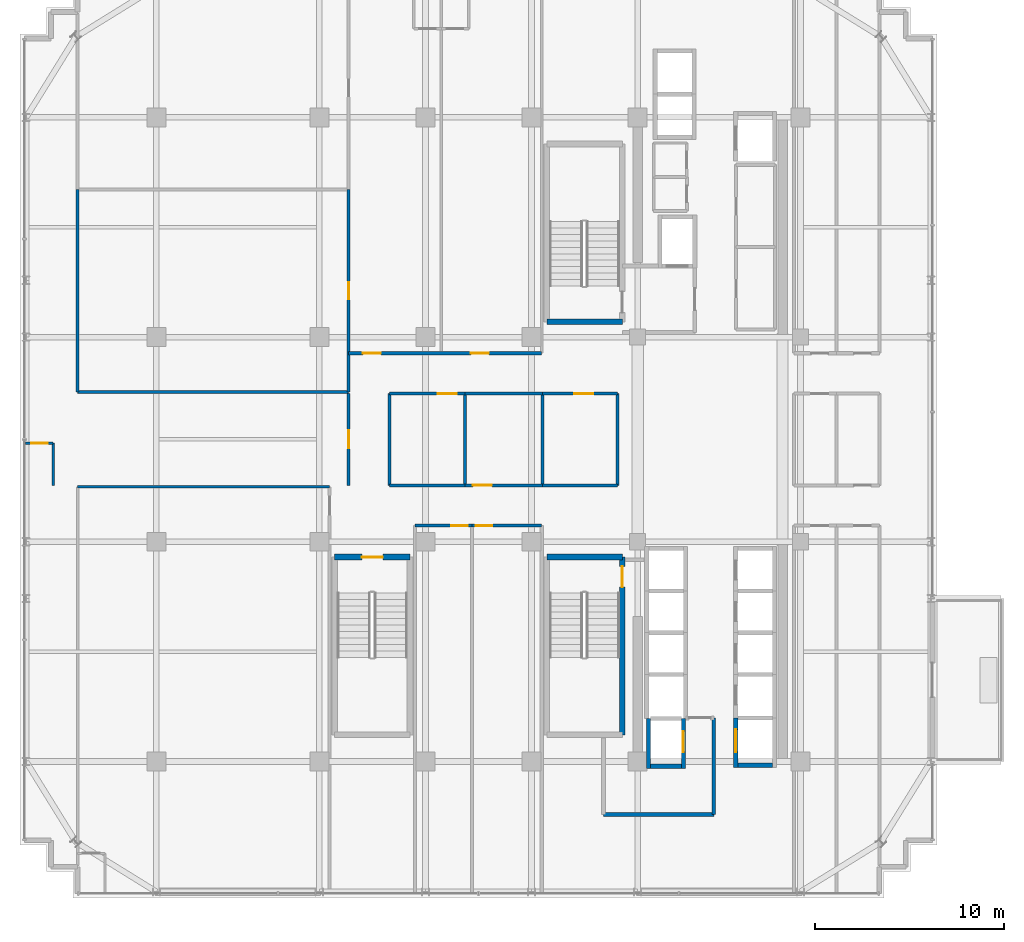
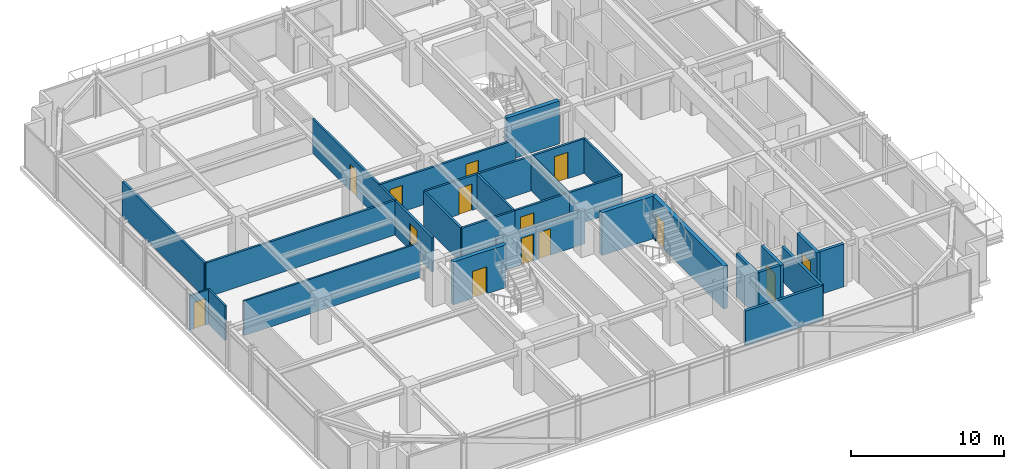
# One storey, part 30 of 36: 31 walls, 14 doors, 14 openings.
"""IFC4 building model written with IfcOpenShell, lengths in metres."""

from ifc_helpers import new_model, si_unit, direction, frame, frame_2d, origin, place, context, subcontext, project, spatial, rectangle, extrude, source, transform, mapped, material, layer, layer_set, type_object, element, fill, save


model = new_model("IFC4")

# Units and contexts
model_context = context("Model", 3, precision=1e-05, world=origin(), true_north=direction((0.0, 1.0)))
body_context = subcontext(model_context, "Body", "Model", "MODEL_VIEW")
ifc_project = project(units=[si_unit("LENGTHUNIT", "METRE"), si_unit("AREAUNIT", "SQUARE_METRE"), si_unit("VOLUMEUNIT", "CUBIC_METRE"), si_unit("PLANEANGLEUNIT", "RADIAN"), si_unit("MASSUNIT", "GRAM", prefix="KILO")], contexts=[model_context])

# Site, building, storey
site_placement = place(None, origin())
site = spatial("IfcSite", under=ifc_project, at=site_placement, CompositionType="ELEMENT")
building_placement = place(site_placement, origin())
building = spatial("IfcBuilding", under=site, at=building_placement, Name="Nahalor Promenade Grand Hotel", CompositionType="ELEMENT")
storey_placement = place(building_placement, frame((0.0, 0.0, 219.699951171875)))
storey = spatial("IfcBuildingStorey", under=building, at=storey_placement, Name="L56", CompositionType="ELEMENT", Elevation=219.699951171875)

# Walls
ifc_material_1 = material(Name="Concrete B-50 (C40/50)", Category="concrete")
ifc_layer_1 = layer(ifc_material_1, 0.300048828125)
ifc_layer_set_1 = layer_set([ifc_layer_1], Name="Concrete B-50 (C40/50)")
wall_type_1 = type_object("IfcWallType", Name="Wall-ShaftShear-300", PredefinedType="SHEAR", material=ifc_layer_set_1)
shared_shape_1 = source(origin(), body_context, "Body", "SweptSolid", [
    extrude(rectangle(XDim=3.97998046875, YDim=0.300048828125, at=frame_2d((1.989990234375, 0.0))), origin(), (0.0, 0.0, 1.0), 3.41015625),
])
for number, where, z_axis, x_axis, name in (
    (1, (3.610107421875, 6.2099609375, 0.0), (0.0, 0.0, 1.0), (1.0, 0.0, 0.0), "L56 Exit Stair ST1 Shaft Wall S"),
    (2, (3.610107421875, -6.2099609375, 0.0), (0.0, 0.0, 1.0), (1.0, 0.0, 0.0), "L56 Exit Stair ST2 Shaft Wall N"),
):
    element("IfcWall", number, at=place(storey_placement, frame(where, z_axis=z_axis, x_axis=x_axis)), inside=storey, type_object=wall_type_1, Name=name, PredefinedType="SHEAR", context=body_context, shape_type="MappedRepresentation", body=[
        mapped(shared_shape_1, transform((0.0, 0.0, 0.0), scale=1.0)),
    ])

# Wall, opening, door
wall_1_placement = place(storey_placement, frame((-7.590087890625, -6.2099609375, 0.0), z_axis=(0.0, 0.0, 1.0), x_axis=(1.0, 0.0, 0.0)))
wall_1 = element("IfcWall", 3, at=wall_1_placement, inside=storey, type_object=wall_type_1, Name="L56 Exit Stair ST3 Shaft Wall N", PredefinedType="SHEAR", context=body_context, shape_type="MappedRepresentation", body=[
    mapped(shared_shape_1, transform((0.0, 0.0, 0.0), scale=1.0)),
])
opening_1_placement = place(wall_1_placement, frame((1.43994140625, 0.0, 0.0)))
opening_1 = element("IfcOpeningElement", 4, at=opening_1_placement, cuts=wall_1, Name="Opening D-ST1", PredefinedType="OPENING", context=body_context, shape_type="SweptSolid", body=[
    extrude(rectangle(XDim=1.10009765625, YDim=2.14990234375, at=frame_2d((0.550048828125, 1.074951171875))), frame((0.0, 0.159912109375, 0.0), z_axis=(0.0, -1.0, 0.0), x_axis=(1.0, 0.0, 0.0)), (0.0, 0.0, 1.0), 0.320068359375),
])
ifc_material_2 = material(Name="Steel S355JR", Category="steel")
door_type_1 = type_object("IfcDoorType", Name="Door-StairFire-1100", OperationType="NOTDEFINED", PredefinedType="DOOR", material=ifc_material_2)
shared_shape_2 = source(origin(), body_context, "Body", "SweptSolid", [
    extrude(rectangle(XDim=1.10009765625, YDim=2.14990234375, at=frame_2d((0.550048828125, 1.074951171875))), frame((0.0, 0.02490234375, 0.0), z_axis=(0.0, -1.0, 0.0), x_axis=(1.0, 0.0, 0.0)), (0.0, 0.0, 1.0), 0.050048828125),
])
door_1_placement = place(opening_1_placement, frame((1.10009765625, 0.0, 0.0), z_axis=(0.0, 0.0, 1.0), x_axis=(-1.0, 0.0, 0.0)))
door_1 = element("IfcDoor", 5, at=door_1_placement, inside=storey, type_object=door_type_1, Name="DR-STAIR-ST3-L56", OperationType="SINGLE_SWING_LEFT", OverallHeight=2.14990234375, OverallWidth=1.10009765625, PredefinedType="DOOR", context=body_context, shape_type="MappedRepresentation", body=[
    mapped(shared_shape_2, transform((0.0, 0.0, 0.0), scale=1.0)),
])
fill(opening_1, door_1)

shared_shape_3 = source(origin(), body_context, "Body", "SweptSolid", [
    extrude(rectangle(XDim=9.380126953125, YDim=0.300048828125, at=frame_2d((4.68994140625, 0.0))), origin(), (0.0, 0.0, 1.0), 3.41015625),
])
wall_2_placement = place(storey_placement, frame((7.590087890625, -15.590087890625, 0.0), z_axis=(0.0, 0.0, 1.0), x_axis=(0.0, 1.0, 0.0)))
wall_2 = element("IfcWall", 6, at=wall_2_placement, inside=storey, type_object=wall_type_1, Name="L56 Exit Stair ST2 Shaft Wall E", PredefinedType="SHEAR", context=body_context, shape_type="MappedRepresentation", body=[
    mapped(shared_shape_3, transform((0.0, 0.0, 0.0), scale=1.0)),
])
opening_2_placement = place(wall_2_placement, frame((7.7900390625, 0.0, 0.0)))
opening_2 = element("IfcOpeningElement", 7, at=opening_2_placement, cuts=wall_2, Name="Opening D-ST1", PredefinedType="OPENING", context=body_context, shape_type="SweptSolid", body=[
    extrude(rectangle(XDim=1.10009765625, YDim=2.14990234375, at=frame_2d((0.550048828125, 1.074951171875))), frame((0.0, 0.159912109375, 0.0), z_axis=(0.0, -1.0, 0.0), x_axis=(1.0, 0.0, 0.0)), (0.0, 0.0, 1.0), 0.320068359375),
])
door_2_placement = place(opening_2_placement, origin())
door_2 = element("IfcDoor", 8, at=door_2_placement, inside=storey, type_object=door_type_1, Name="DR-STAIR-ST2-L56", OperationType="SINGLE_SWING_LEFT", OverallHeight=2.14990234375, OverallWidth=1.10009765625, PredefinedType="DOOR", context=body_context, shape_type="MappedRepresentation", body=[
    mapped(shared_shape_2, transform((0.0, 0.0, 0.0), scale=1.0)),
])
fill(opening_2, door_2)

# Walls
ifc_layer_2 = layer(ifc_material_1, 0.219970703125)
ifc_layer_set_2 = layer_set([ifc_layer_2], Name="Concrete B-50 (C40/50)")
wall_type_2 = type_object("IfcWallType", Name="Wall-LiftShaft-220", PredefinedType="SHEAR", material=ifc_layer_set_2)
shared_shape_4 = source(origin(), body_context, "Body", "SweptSolid", [
    extrude(rectangle(XDim=1.820068359375, YDim=0.219970703125, at=frame_2d((0.91015625, 0.0))), origin(), (0.0, 0.0, 1.0), 3.41015625),
])
wall_3_placement = place(storey_placement, frame((13.68994140625, -17.199951171875, 0.0), z_axis=(0.0, 0.0, 1.0), x_axis=(1.0, 0.0, 0.0)))
element("IfcWall", 9, at=wall_3_placement, inside=storey, type_object=wall_type_2, Name="L56 Lift SV2 Hoistway Wall S", PredefinedType="SHEAR", context=body_context, shape_type="MappedRepresentation", body=[
    mapped(shared_shape_4, transform((0.0, 0.0, 0.0), scale=1.0)),
])
shared_shape_5 = source(origin(), body_context, "Body", "SweptSolid", [
    extrude(rectangle(XDim=2.635009765625, YDim=0.219970703125, at=frame_2d((1.3173828125, 0.0))), origin(), (0.0, 0.0, 1.0), 3.41015625),
])
wall_4_placement = place(storey_placement, frame((8.97998046875, -17.360107421875, 0.0), z_axis=(0.0, 0.0, 1.0), x_axis=(0.0, 1.0, 0.0)))
element("IfcWall", 10, at=wall_4_placement, inside=storey, type_object=wall_type_2, Name="L56 Lift FL2 Hoistway Wall W", PredefinedType="SHEAR", context=body_context, shape_type="MappedRepresentation", body=[
    mapped(shared_shape_5, transform((0.0, 0.0, 0.0), scale=1.0)),
])

# Wall, opening, door
wall_5_placement = place(storey_placement, frame((10.820068359375, -17.360107421875, 0.0), z_axis=(0.0, 0.0, 1.0), x_axis=(0.0, 1.0, 0.0)))
wall_5 = element("IfcWall", 11, at=wall_5_placement, inside=storey, type_object=wall_type_2, Name="L56 Lift FL2 Hoistway Wall E", PredefinedType="SHEAR", context=body_context, shape_type="MappedRepresentation", body=[
    mapped(shared_shape_5, transform((0.0, 0.0, 0.0), scale=1.0)),
])
opening_3_placement = place(wall_5_placement, frame((0.860107421875, 0.0, 0.0)))
opening_3 = element("IfcOpeningElement", 12, at=opening_3_placement, cuts=wall_5, Name="Opening LD-02", PredefinedType="OPENING", context=body_context, shape_type="SweptSolid", body=[
    extrude(rectangle(XDim=1.10009765625, YDim=2.199951171875, at=frame_2d((0.550048828125, 1.10009765625))), frame((0.0, 0.119873046875, 0.0), z_axis=(0.0, -1.0, 0.0), x_axis=(1.0, 0.0, 0.0)), (0.0, 0.0, 1.0), 0.239990234375),
])
door_type_2 = type_object("IfcDoorType", Name="Door-LiftFF-1100", OperationType="DOUBLE_DOOR_SLIDING", PredefinedType="DOOR", material=ifc_material_2)
shared_shape_6 = source(origin(), body_context, "Body", "SweptSolid", [
    extrude(rectangle(XDim=1.10009765625, YDim=2.199951171875, at=frame_2d((0.550048828125, 1.10009765625))), frame((0.0, 0.02490234375, 0.0), z_axis=(0.0, -1.0, 0.0), x_axis=(1.0, 0.0, 0.0)), (0.0, 0.0, 1.0), 0.050048828125),
])
door_3_placement = place(opening_3_placement, frame((1.10009765625, 0.0, 0.0), z_axis=(0.0, 0.0, 1.0), x_axis=(-1.0, 0.0, 0.0)))
door_3 = element("IfcDoor", 13, at=door_3_placement, inside=storey, type_object=door_type_2, Name="DR-LIFT-FL2-L56", OperationType="DOUBLE_DOOR_SLIDING", OverallHeight=2.199951171875, OverallWidth=1.10009765625, PredefinedType="DOOR", context=body_context, shape_type="MappedRepresentation", body=[
    mapped(shared_shape_6, transform((0.0, 0.0, 0.0), scale=1.0)),
])
fill(opening_3, door_3)

# Wall
shared_shape_7 = source(origin(), body_context, "Body", "SweptSolid", [
    extrude(rectangle(XDim=1.619873046875, YDim=0.219970703125, at=frame_2d((0.81005859375, 0.0))), origin(), (0.0, 0.0, 1.0), 3.41015625),
])
wall_6_placement = place(storey_placement, frame((9.090087890625, -17.25, 0.0), z_axis=(0.0, 0.0, 1.0), x_axis=(1.0, 0.0, 0.0)))
element("IfcWall", 14, at=wall_6_placement, inside=storey, type_object=wall_type_2, Name="L56 Lift FL2 Hoistway Wall S", PredefinedType="SHEAR", context=body_context, shape_type="MappedRepresentation", body=[
    mapped(shared_shape_7, transform((0.0, 0.0, 0.0), scale=1.0)),
])

# Wall, opening, door
shared_shape_8 = source(origin(), body_context, "Body", "SweptSolid", [
    extrude(rectangle(XDim=2.610107421875, YDim=0.219970703125, at=frame_2d((1.30517578125, 0.0))), origin(), (0.0, 0.0, 1.0), 3.41015625),
])
wall_7_placement = place(storey_placement, frame((13.580078125, -17.31005859375, 0.0), z_axis=(0.0, 0.0, 1.0), x_axis=(0.0, 1.0, 0.0)))
wall_7 = element("IfcWall", 15, at=wall_7_placement, inside=storey, type_object=wall_type_2, Name="L56 Lift SV2 Hoistway Wall W", PredefinedType="SHEAR", context=body_context, shape_type="MappedRepresentation", body=[
    mapped(shared_shape_8, transform((0.0, 0.0, 0.0), scale=1.0)),
])
opening_4_placement = place(wall_7_placement, frame((0.81005859375, 0.0, 0.0)))
opening_4 = element("IfcOpeningElement", 16, at=opening_4_placement, cuts=wall_7, Name="Opening LD-03", PredefinedType="OPENING", context=body_context, shape_type="SweptSolid", body=[
    extrude(rectangle(XDim=1.199951171875, YDim=2.199951171875, at=frame_2d((0.60009765625, 1.10009765625))), frame((0.0, 0.119873046875, 0.0), z_axis=(0.0, -1.0, 0.0), x_axis=(1.0, 0.0, 0.0)), (0.0, 0.0, 1.0), 0.239990234375),
])
door_type_3 = type_object("IfcDoorType", Name="Door-LiftService-1200", OperationType="DOUBLE_DOOR_SLIDING", PredefinedType="DOOR", material=ifc_material_2)
shared_shape_9 = source(origin(), body_context, "Body", "SweptSolid", [
    extrude(rectangle(XDim=1.199951171875, YDim=2.199951171875, at=frame_2d((0.60009765625, 1.10009765625))), frame((0.0, 0.02490234375, 0.0), z_axis=(0.0, -1.0, 0.0), x_axis=(1.0, 0.0, 0.0)), (0.0, 0.0, 1.0), 0.050048828125),
])
door_4_placement = place(opening_4_placement, origin())
door_4 = element("IfcDoor", 17, at=door_4_placement, inside=storey, type_object=door_type_3, Name="DR-LIFT-SV2-L56", OperationType="DOUBLE_DOOR_SLIDING", OverallHeight=2.199951171875, OverallWidth=1.199951171875, PredefinedType="DOOR", context=body_context, shape_type="MappedRepresentation", body=[
    mapped(shared_shape_9, transform((0.0, 0.0, 0.0), scale=1.0)),
])
fill(opening_4, door_4)

# Walls
ifc_material_3 = material(Name="Concrete B-40 (C32/40)", Category="concrete")
ifc_layer_3 = layer(ifc_material_3, 0.199951171875)
ifc_layer_set_3 = layer_set([ifc_layer_3], Name="Concrete B-40 (C32/40)")
wall_type_3 = type_object("IfcWallType", Name="Wall-PartFire-200", PredefinedType="PARTITIONING", material=ifc_layer_set_3)
shared_shape_10 = source(origin(), body_context, "Body", "SweptSolid", [
    extrude(rectangle(XDim=5.81982421875, YDim=0.199951171875, at=frame_2d((2.909912109375, 0.0))), origin(), (0.0, 0.0, 1.0), 2.75),
])
wall_8_placement = place(storey_placement, frame((6.60009765625, -19.800048828125, 0.0), z_axis=(0.0, 0.0, 1.0), x_axis=(1.0, 0.0, 0.0)))
element("IfcWall", 18, at=wall_8_placement, inside=storey, type_object=wall_type_3, Name="W-L56-FF2-S1", PredefinedType="PARTITIONING", context=body_context, shape_type="MappedRepresentation", body=[
    mapped(shared_shape_10, transform((0.0, 0.0, 0.0), scale=1.0)),
])
shared_shape_11 = source(origin(), body_context, "Body", "SweptSolid", [
    extrude(rectangle(XDim=5.10009765625, YDim=0.199951171875, at=frame_2d((2.550048828125, 0.0))), origin(), (0.0, 0.0, 1.0), 2.75),
])
wall_9_placement = place(storey_placement, frame((12.419921875, -19.800048828125, 0.0), z_axis=(0.0, 0.0, 1.0), x_axis=(0.0, 1.0, 0.0)))
element("IfcWall", 19, at=wall_9_placement, inside=storey, type_object=wall_type_3, Name="W-L56-FF2-E", PredefinedType="PARTITIONING", context=body_context, shape_type="MappedRepresentation", body=[
    mapped(shared_shape_11, transform((0.0, 0.0, 0.0), scale=1.0)),
])

# Wall, opening, door
ifc_material_4 = material(Name="Acoustic Mineral Gypsum", Category="gypsum")
ifc_layer_4 = layer(ifc_material_4, 0.1201171875)
ifc_layer_set_4 = layer_set([ifc_layer_4], Name="Acoustic Mineral Gypsum")
wall_type_4 = type_object("IfcWallType", Name="Wall-PartBath-120", PredefinedType="PARTITIONING", material=ifc_layer_set_4)
shared_shape_12 = source(origin(), body_context, "Body", "SweptSolid", [
    extrude(rectangle(XDim=1.449951171875, YDim=0.1201171875, at=frame_2d((0.72509765625, 0.0))), origin(), (0.0, 0.0, 1.0), 2.75),
])
wall_10_placement = place(storey_placement, frame((-23.89990234375, -0.199951171875, 0.0), z_axis=(0.0, 0.0, 1.0), x_axis=(1.0, 0.0, 0.0)))
wall_10 = element("IfcWall", 20, at=wall_10_placement, inside=storey, type_object=wall_type_4, Name="W-L56-W1-BH", PredefinedType="PARTITIONING", context=body_context, shape_type="MappedRepresentation", body=[
    mapped(shared_shape_12, transform((0.0, 0.0, 0.0), scale=1.0)),
])
opening_5_placement = place(wall_10_placement, frame((0.284912109375, 0.0, 0.0)))
opening_5 = element("IfcOpeningElement", 21, at=opening_5_placement, cuts=wall_10, Name="Opening D-03", PredefinedType="OPENING", context=body_context, shape_type="SweptSolid", body=[
    extrude(rectangle(XDim=0.8798828125, YDim=2.10009765625, at=frame_2d((0.43994140625, 1.050048828125))), frame((0.0, 0.070068359375, 0.0), z_axis=(0.0, -1.0, 0.0), x_axis=(1.0, 0.0, 0.0)), (0.0, 0.0, 1.0), 0.14013671875),
])
ifc_material_5 = material(Name="Fire-Rated Timber Composite", Category="wood")
door_type_4 = type_object("IfcDoorType", Name="Door-BathSwing-880", OperationType="NOTDEFINED", PredefinedType="DOOR", material=ifc_material_5)
shared_shape_13 = source(origin(), body_context, "Body", "SweptSolid", [
    extrude(rectangle(XDim=0.8798828125, YDim=2.10009765625, at=frame_2d((0.43994140625, 1.050048828125))), frame((0.0, 0.02490234375, 0.0), z_axis=(0.0, -1.0, 0.0), x_axis=(1.0, 0.0, 0.0)), (0.0, 0.0, 1.0), 0.050048828125),
])
door_5_placement = place(opening_5_placement, frame((0.8798828125, 0.0, 0.0), z_axis=(0.0, 0.0, 1.0), x_axis=(-1.0, 0.0, 0.0)))
door_5 = element("IfcDoor", 22, at=door_5_placement, inside=storey, type_object=door_type_4, Name="DR-L56-W1-BATH", OperationType="SINGLE_SWING_LEFT", OverallHeight=2.10009765625, OverallWidth=0.8798828125, PredefinedType="DOOR", context=body_context, shape_type="MappedRepresentation", body=[
    mapped(shared_shape_13, transform((0.0, 0.0, 0.0), scale=1.0)),
])
fill(opening_5, door_5)

# Wall
shared_shape_14 = source(origin(), body_context, "Body", "SweptSolid", [
    extrude(rectangle(XDim=2.219970703125, YDim=0.1201171875, at=frame_2d((1.10986328125, 0.0))), origin(), (0.0, 0.0, 1.0), 2.75),
])
wall_11_placement = place(storey_placement, frame((-22.449951171875, -2.419921875, 0.0), z_axis=(0.0, 0.0, 1.0), x_axis=(0.0, 1.0, 0.0)))
element("IfcWall", 23, at=wall_11_placement, inside=storey, type_object=wall_type_4, Name="W-L56-W1-BV", PredefinedType="PARTITIONING", context=body_context, shape_type="MappedRepresentation", body=[
    mapped(shared_shape_14, transform((0.0, 0.0, 0.0), scale=1.0)),
])

# Wall, opening, door
ifc_layer_5 = layer(ifc_material_4, 0.159912109375)
ifc_layer_set_5 = layer_set([ifc_layer_5], Name="Acoustic Mineral Gypsum")
wall_type_5 = type_object("IfcWallType", Name="Wall-PartCorridor-160", PredefinedType="PARTITIONING", material=ifc_layer_set_5)
shared_shape_15 = source(origin(), body_context, "Body", "SweptSolid", [
    extrude(rectangle(XDim=4.83984375, YDim=0.159912109375, at=frame_2d((2.419921875, 0.0))), origin(), (0.0, 0.0, 1.0), 2.75),
])
wall_12_placement = place(storey_placement, frame((-6.85009765625, -2.419921875, 0.0), z_axis=(0.0, 0.0, 1.0), x_axis=(0.0, 1.0, 0.0)))
wall_12 = element("IfcWall", 24, at=wall_12_placement, inside=storey, type_object=wall_type_5, Name="W-L56-WEST-E", PredefinedType="PARTITIONING", context=body_context, shape_type="MappedRepresentation", body=[
    mapped(shared_shape_15, transform((0.0, 0.0, 0.0), scale=1.0)),
])
opening_6_placement = place(wall_12_placement, frame((1.945068359375, 0.0, 0.0)))
opening_6 = element("IfcOpeningElement", 25, at=opening_6_placement, cuts=wall_12, Name="Opening D-01", PredefinedType="OPENING", context=body_context, shape_type="SweptSolid", body=[
    extrude(rectangle(XDim=0.949951171875, YDim=2.10009765625, at=frame_2d((0.47509765625, 1.050048828125))), frame((0.0, 0.08984375, 0.0), z_axis=(0.0, -1.0, 0.0), x_axis=(1.0, 0.0, 0.0)), (0.0, 0.0, 1.0), 0.179931640625),
])
door_type_5 = type_object("IfcDoorType", Name="Door-GuestEntry-950", OperationType="NOTDEFINED", PredefinedType="DOOR", material=ifc_material_5)
shared_shape_16 = source(origin(), body_context, "Body", "SweptSolid", [
    extrude(rectangle(XDim=0.949951171875, YDim=2.10009765625, at=frame_2d((0.47509765625, 1.050048828125))), frame((0.0, 0.02490234375, 0.0), z_axis=(0.0, -1.0, 0.0), x_axis=(1.0, 0.0, 0.0)), (0.0, 0.0, 1.0), 0.050048828125),
])
door_6_placement = place(opening_6_placement, origin())
door_6 = element("IfcDoor", 26, at=door_6_placement, inside=storey, type_object=door_type_5, Name="DR-L56-W1-ENT", OperationType="SINGLE_SWING_RIGHT", OverallHeight=2.10009765625, OverallWidth=0.949951171875, PredefinedType="DOOR", context=body_context, shape_type="MappedRepresentation", body=[
    mapped(shared_shape_16, transform((0.0, 0.0, 0.0), scale=1.0)),
])
fill(opening_6, door_6)

# Walls
for number, where, z_axis, x_axis, name in (
    (27, (-4.699951171875, -2.419921875, 0.0), (0.0, 0.0, 1.0), (0.0, 1.0, 0.0), "W-L56-CM1-W"),
    (28, (-0.722900390625, -2.419921875, 0.0), (0.0, 0.0, 1.0), (0.0, 1.0, 0.0), "W-L56-CM1-E"),
    (29, (3.3740234375, -2.419921875, 0.0), (0.0, 0.0, 1.0), (0.0, 1.0, 0.0), "W-L56-CM2-E"),
    (30, (7.35009765625, -2.419921875, 0.0), (0.0, 0.0, 1.0), (0.0, 1.0, 0.0), "W-L56-CM3-E"),
):
    element("IfcWall", number, at=place(storey_placement, frame(where, z_axis=z_axis, x_axis=x_axis)), inside=storey, type_object=wall_type_5, Name=name, PredefinedType="PARTITIONING", context=body_context, shape_type="MappedRepresentation", body=[
        mapped(shared_shape_15, transform((0.0, 0.0, 0.0), scale=1.0)),
    ])
shared_shape_17 = source(origin(), body_context, "Body", "SweptSolid", [
    extrude(rectangle(XDim=14.309814453125, YDim=0.159912109375, at=frame_2d((7.15478515625, 0.0))), origin(), (0.0, 0.0, 1.0), 2.75),
])
wall_13_placement = place(storey_placement, frame((-21.159912109375, 2.5, 0.0), z_axis=(0.0, 0.0, 1.0), x_axis=(1.0, 0.0, 0.0)))
element("IfcWall", 31, at=wall_13_placement, inside=storey, type_object=wall_type_5, Name="W-L56-NW0A-S", PredefinedType="PARTITIONING", context=body_context, shape_type="MappedRepresentation", body=[
    mapped(shared_shape_17, transform((0.0, 0.0, 0.0), scale=1.0)),
])
shared_shape_18 = source(origin(), body_context, "Body", "SweptSolid", [
    extrude(rectangle(XDim=10.699951171875, YDim=0.159912109375, at=frame_2d((5.35009765625, 0.0))), origin(), (0.0, 0.0, 1.0), 2.75),
])
wall_14_placement = place(storey_placement, frame((-21.159912109375, 2.5, 0.0), z_axis=(0.0, 0.0, 1.0), x_axis=(0.0, 1.0, 0.0)))
element("IfcWall", 32, at=wall_14_placement, inside=storey, type_object=wall_type_5, Name="W-L56-NW0A-W", PredefinedType="PARTITIONING", context=body_context, shape_type="MappedRepresentation", body=[
    mapped(shared_shape_18, transform((0.0, 0.0, 0.0), scale=1.0)),
])

# Wall, opening, door
wall_15_placement = place(storey_placement, frame((-6.85009765625, 2.5, 0.0), z_axis=(0.0, 0.0, 1.0), x_axis=(0.0, 1.0, 0.0)))
wall_15 = element("IfcWall", 33, at=wall_15_placement, inside=storey, type_object=wall_type_5, Name="W-L56-NW0A-E", PredefinedType="PARTITIONING", context=body_context, shape_type="MappedRepresentation", body=[
    mapped(shared_shape_18, transform((0.0, 0.0, 0.0), scale=1.0)),
])
opening_7_placement = place(wall_15_placement, frame((4.909912109375, 0.0, 0.0)))
opening_7 = element("IfcOpeningElement", 34, at=opening_7_placement, cuts=wall_15, Name="Opening D-03", PredefinedType="OPENING", context=body_context, shape_type="SweptSolid", body=[
    extrude(rectangle(XDim=0.8798828125, YDim=2.10009765625, at=frame_2d((0.43994140625, 1.050048828125))), frame((0.0, 0.08984375, 0.0), z_axis=(0.0, -1.0, 0.0), x_axis=(1.0, 0.0, 0.0)), (0.0, 0.0, 1.0), 0.179931640625),
])
door_7_placement = place(opening_7_placement, origin())
door_7 = element("IfcDoor", 35, at=door_7_placement, inside=storey, type_object=door_type_4, Name="DR-L56-NW0A", OperationType="SINGLE_SWING_LEFT", OverallHeight=2.10009765625, OverallWidth=0.8798828125, PredefinedType="DOOR", context=body_context, shape_type="MappedRepresentation", body=[
    mapped(shared_shape_13, transform((0.0, 0.0, 0.0), scale=1.0)),
])
fill(opening_7, door_7)

# Wall, openings, doors
shared_shape_19 = source(origin(), body_context, "Body", "SweptSolid", [
    extrude(rectangle(XDim=10.190185546875, YDim=0.159912109375, at=frame_2d((5.09521484375, 0.0))), origin(), (0.0, 0.0, 1.0), 2.75),
])
wall_16_placement = place(storey_placement, frame((-6.85009765625, 4.550048828125, 0.0), z_axis=(0.0, 0.0, 1.0), x_axis=(1.0, 0.0, 0.0)))
wall_16 = element("IfcWall", 36, at=wall_16_placement, inside=storey, type_object=wall_type_5, Name="W-L56-CORR-N", PredefinedType="PARTITIONING", context=body_context, shape_type="MappedRepresentation", body=[
    mapped(shared_shape_19, transform((0.0, 0.0, 0.0), scale=1.0)),
])
opening_8_placement = place(wall_16_placement, frame((0.7451171875, 0.0, 0.0)))
opening_8 = element("IfcOpeningElement", 37, at=opening_8_placement, cuts=wall_16, Name="Opening D-01", PredefinedType="OPENING", context=body_context, shape_type="SweptSolid", body=[
    extrude(rectangle(XDim=0.949951171875, YDim=2.10009765625, at=frame_2d((0.47509765625, 1.050048828125))), frame((0.0, 0.08984375, 0.0), z_axis=(0.0, -1.0, 0.0), x_axis=(1.0, 0.0, 0.0)), (0.0, 0.0, 1.0), 0.179931640625),
])
opening_9_placement = place(wall_16_placement, frame((6.449951171875, 0.0, 0.0)))
opening_9 = element("IfcOpeningElement", 38, at=opening_9_placement, cuts=wall_16, Name="Opening D-01", PredefinedType="OPENING", context=body_context, shape_type="SweptSolid", body=[
    extrude(rectangle(XDim=0.949951171875, YDim=2.10009765625, at=frame_2d((0.47509765625, 1.050048828125))), frame((0.0, 0.08984375, 0.0), z_axis=(0.0, -1.0, 0.0), x_axis=(1.0, 0.0, 0.0)), (0.0, 0.0, 1.0), 0.179931640625),
])
door_8_placement = place(opening_8_placement, origin())
door_8 = element("IfcDoor", 39, at=door_8_placement, inside=storey, type_object=door_type_5, Name="DR-L56-N1-ENT", OperationType="SINGLE_SWING_RIGHT", OverallHeight=2.10009765625, OverallWidth=0.949951171875, PredefinedType="DOOR", context=body_context, shape_type="MappedRepresentation", body=[
    mapped(shared_shape_16, transform((0.0, 0.0, 0.0), scale=1.0)),
])
fill(opening_8, door_8)
door_9_placement = place(opening_9_placement, origin())
door_9 = element("IfcDoor", 40, at=door_9_placement, inside=storey, type_object=door_type_5, Name="DR-L56-N2-ENT", OperationType="SINGLE_SWING_RIGHT", OverallHeight=2.10009765625, OverallWidth=0.949951171875, PredefinedType="DOOR", context=body_context, shape_type="MappedRepresentation", body=[
    mapped(shared_shape_16, transform((0.0, 0.0, 0.0), scale=1.0)),
])
fill(opening_9, door_9)

# Wall
ifc_layer_6 = layer(ifc_material_4, 0.139892578125)
ifc_layer_set_6 = layer_set([ifc_layer_6], Name="Acoustic Mineral Gypsum")
wall_type_6 = type_object("IfcWallType", Name="Wall-PartSuite-140", PredefinedType="PARTITIONING", material=ifc_layer_set_6)
shared_shape_20 = source(origin(), body_context, "Body", "SweptSolid", [
    extrude(rectangle(XDim=13.2998046875, YDim=0.139892578125, at=frame_2d((6.64990234375, 0.0))), origin(), (0.0, 0.0, 1.0), 2.75),
])
wall_17_placement = place(storey_placement, frame((-21.159912109375, -2.5, 0.0), z_axis=(0.0, 0.0, 1.0), x_axis=(1.0, 0.0, 0.0)))
element("IfcWall", 41, at=wall_17_placement, inside=storey, type_object=wall_type_6, Name="W-L56-ZSW-N", PredefinedType="PARTITIONING", context=body_context, shape_type="MappedRepresentation", body=[
    mapped(shared_shape_20, transform((0.0, 0.0, 0.0), scale=1.0)),
])

# Wall, opening, door
shared_shape_21 = source(origin(), body_context, "Body", "SweptSolid", [
    extrude(rectangle(XDim=2.989990234375, YDim=0.159912109375, at=frame_2d((1.4951171875, 0.0))), origin(), (0.0, 0.0, 1.0), 2.75),
])
wall_18_placement = place(storey_placement, frame((-3.340087890625, -4.550048828125, 0.0), z_axis=(0.0, 0.0, 1.0), x_axis=(1.0, 0.0, 0.0)))
wall_18 = element("IfcWall", 42, at=wall_18_placement, inside=storey, type_object=wall_type_5, Name="W-L56-SCB1-N", PredefinedType="PARTITIONING", context=body_context, shape_type="MappedRepresentation", body=[
    mapped(shared_shape_21, transform((0.0, 0.0, 0.0), scale=1.0)),
])
opening_10_placement = place(wall_18_placement, frame((1.89990234375, 0.0, 0.0)))
opening_10 = element("IfcOpeningElement", 43, at=opening_10_placement, cuts=wall_18, Name="Opening D-03", PredefinedType="OPENING", context=body_context, shape_type="SweptSolid", body=[
    extrude(rectangle(XDim=0.8798828125, YDim=2.10009765625, at=frame_2d((0.43994140625, 1.050048828125))), frame((0.0, 0.08984375, 0.0), z_axis=(0.0, -1.0, 0.0), x_axis=(1.0, 0.0, 0.0)), (0.0, 0.0, 1.0), 0.179931640625),
])
door_10_placement = place(opening_10_placement, frame((0.8798828125, 0.0, 0.0), z_axis=(0.0, 0.0, 1.0), x_axis=(-1.0, 0.0, 0.0)))
door_10 = element("IfcDoor", 44, at=door_10_placement, inside=storey, type_object=door_type_4, Name="DR-L56-SCB1", OperationType="SINGLE_SWING_LEFT", OverallHeight=2.10009765625, OverallWidth=0.8798828125, PredefinedType="DOOR", context=body_context, shape_type="MappedRepresentation", body=[
    mapped(shared_shape_13, transform((0.0, 0.0, 0.0), scale=1.0)),
])
fill(opening_10, door_10)

shared_shape_22 = source(origin(), body_context, "Body", "SweptSolid", [
    extrude(rectangle(XDim=3.690185546875, YDim=0.159912109375, at=frame_2d((1.84521484375, 0.0))), origin(), (0.0, 0.0, 1.0), 2.75),
])
wall_19_placement = place(storey_placement, frame((-0.35009765625, -4.550048828125, 0.0), z_axis=(0.0, 0.0, 1.0), x_axis=(1.0, 0.0, 0.0)))
wall_19 = element("IfcWall", 45, at=wall_19_placement, inside=storey, type_object=wall_type_5, Name="W-L56-SCB2-N", PredefinedType="PARTITIONING", context=body_context, shape_type="MappedRepresentation", body=[
    mapped(shared_shape_22, transform((0.0, 0.0, 0.0), scale=1.0)),
])
opening_11_placement = place(wall_19_placement, frame((0.2099609375, 0.0, 0.0)))
opening_11 = element("IfcOpeningElement", 46, at=opening_11_placement, cuts=wall_19, Name="Opening D-03", PredefinedType="OPENING", context=body_context, shape_type="SweptSolid", body=[
    extrude(rectangle(XDim=0.8798828125, YDim=2.10009765625, at=frame_2d((0.43994140625, 1.050048828125))), frame((0.0, 0.08984375, 0.0), z_axis=(0.0, -1.0, 0.0), x_axis=(1.0, 0.0, 0.0)), (0.0, 0.0, 1.0), 0.179931640625),
])
door_11_placement = place(opening_11_placement, frame((0.8798828125, 0.0, 0.0), z_axis=(0.0, 0.0, 1.0), x_axis=(-1.0, 0.0, 0.0)))
door_11 = element("IfcDoor", 47, at=door_11_placement, inside=storey, type_object=door_type_4, Name="DR-L56-SCB2", OperationType="SINGLE_SWING_RIGHT", OverallHeight=2.10009765625, OverallWidth=0.8798828125, PredefinedType="DOOR", context=body_context, shape_type="MappedRepresentation", body=[
    mapped(shared_shape_13, transform((0.0, 0.0, 0.0), scale=1.0)),
])
fill(opening_11, door_11)

# Wall
shared_shape_23 = source(origin(), body_context, "Body", "SweptSolid", [
    extrude(rectangle(XDim=3.97705078125, YDim=0.159912109375, at=frame_2d((1.988525390625, 0.0))), origin(), (0.0, 0.0, 1.0), 2.75),
])
wall_20_placement = place(storey_placement, frame((-4.699951171875, -2.419921875, 0.0), z_axis=(0.0, 0.0, 1.0), x_axis=(1.0, 0.0, 0.0)))
element("IfcWall", 48, at=wall_20_placement, inside=storey, type_object=wall_type_5, Name="W-L56-CM1-S", PredefinedType="PARTITIONING", context=body_context, shape_type="MappedRepresentation", body=[
    mapped(shared_shape_23, transform((0.0, 0.0, 0.0), scale=1.0)),
])

# Wall, opening, door
wall_21_placement = place(storey_placement, frame((-4.699951171875, 2.419921875, 0.0), z_axis=(0.0, 0.0, 1.0), x_axis=(1.0, 0.0, 0.0)))
wall_21 = element("IfcWall", 49, at=wall_21_placement, inside=storey, type_object=wall_type_5, Name="W-L56-CM1-N", PredefinedType="PARTITIONING", context=body_context, shape_type="MappedRepresentation", body=[
    mapped(shared_shape_23, transform((0.0, 0.0, 0.0), scale=1.0)),
])
opening_12_placement = place(wall_21_placement, frame((2.549072265625, 0.0, 0.0)))
opening_12 = element("IfcOpeningElement", 50, at=opening_12_placement, cuts=wall_21, Name="Opening D-04", PredefinedType="OPENING", context=body_context, shape_type="SweptSolid", body=[
    extrude(rectangle(XDim=1.0, YDim=2.10009765625, at=frame_2d((0.5, 1.050048828125))), frame((0.0, 0.08984375, 0.0), z_axis=(0.0, -1.0, 0.0), x_axis=(1.0, 0.0, 0.0)), (0.0, 0.0, 1.0), 0.179931640625),
])
door_type_6 = type_object("IfcDoorType", Name="Door-ServiceFire-1000", OperationType="NOTDEFINED", PredefinedType="DOOR", material=ifc_material_2)
shared_shape_24 = source(origin(), body_context, "Body", "SweptSolid", [
    extrude(rectangle(XDim=1.0, YDim=2.10009765625, at=frame_2d((0.5, 1.050048828125))), frame((0.0, 0.02490234375, 0.0), z_axis=(0.0, -1.0, 0.0), x_axis=(1.0, 0.0, 0.0)), (0.0, 0.0, 1.0), 0.050048828125),
])
door_12_placement = place(opening_12_placement, frame((1.0, 0.0, 0.0), z_axis=(0.0, 0.0, 1.0), x_axis=(-1.0, 0.0, 0.0)))
door_12 = element("IfcDoor", 51, at=door_12_placement, inside=storey, type_object=door_type_6, Name="DR-L56-CM1", OperationType="SINGLE_SWING_LEFT", OverallHeight=2.10009765625, OverallWidth=1.0, PredefinedType="DOOR", context=body_context, shape_type="MappedRepresentation", body=[
    mapped(shared_shape_24, transform((0.0, 0.0, 0.0), scale=1.0)),
])
fill(opening_12, door_12)

shared_shape_25 = source(origin(), body_context, "Body", "SweptSolid", [
    extrude(rectangle(XDim=4.096923828125, YDim=0.159912109375, at=frame_2d((2.04833984375, 0.0))), origin(), (0.0, 0.0, 1.0), 2.75),
])
wall_22_placement = place(storey_placement, frame((-0.722900390625, -2.419921875, 0.0), z_axis=(0.0, 0.0, 1.0), x_axis=(1.0, 0.0, 0.0)))
wall_22 = element("IfcWall", 52, at=wall_22_placement, inside=storey, type_object=wall_type_5, Name="W-L56-CM2-S", PredefinedType="PARTITIONING", context=body_context, shape_type="MappedRepresentation", body=[
    mapped(shared_shape_25, transform((0.0, 0.0, 0.0), scale=1.0)),
])
opening_13_placement = place(wall_22_placement, frame((0.430908203125, 0.0, 0.0)))
opening_13 = element("IfcOpeningElement", 53, at=opening_13_placement, cuts=wall_22, Name="Opening D-04", PredefinedType="OPENING", context=body_context, shape_type="SweptSolid", body=[
    extrude(rectangle(XDim=1.0, YDim=2.10009765625, at=frame_2d((0.5, 1.050048828125))), frame((0.0, 0.08984375, 0.0), z_axis=(0.0, -1.0, 0.0), x_axis=(1.0, 0.0, 0.0)), (0.0, 0.0, 1.0), 0.179931640625),
])
door_13_placement = place(opening_13_placement, origin())
door_13 = element("IfcDoor", 54, at=door_13_placement, inside=storey, type_object=door_type_6, Name="DR-L56-CM2", OperationType="SINGLE_SWING_RIGHT", OverallHeight=2.10009765625, OverallWidth=1.0, PredefinedType="DOOR", context=body_context, shape_type="MappedRepresentation", body=[
    mapped(shared_shape_24, transform((0.0, 0.0, 0.0), scale=1.0)),
])
fill(opening_13, door_13)

# Walls
wall_23_placement = place(storey_placement, frame((-0.722900390625, 2.419921875, 0.0), z_axis=(0.0, 0.0, 1.0), x_axis=(1.0, 0.0, 0.0)))
element("IfcWall", 55, at=wall_23_placement, inside=storey, type_object=wall_type_5, Name="W-L56-CM2-N", PredefinedType="PARTITIONING", context=body_context, shape_type="MappedRepresentation", body=[
    mapped(shared_shape_25, transform((0.0, 0.0, 0.0), scale=1.0)),
])
shared_shape_26 = source(origin(), body_context, "Body", "SweptSolid", [
    extrude(rectangle(XDim=3.97607421875, YDim=0.159912109375, at=frame_2d((1.988037109375, 0.0))), origin(), (0.0, 0.0, 1.0), 2.75),
])
wall_24_placement = place(storey_placement, frame((3.3740234375, -2.419921875, 0.0), z_axis=(0.0, 0.0, 1.0), x_axis=(1.0, 0.0, 0.0)))
element("IfcWall", 56, at=wall_24_placement, inside=storey, type_object=wall_type_5, Name="W-L56-CM3-S", PredefinedType="PARTITIONING", context=body_context, shape_type="MappedRepresentation", body=[
    mapped(shared_shape_26, transform((0.0, 0.0, 0.0), scale=1.0)),
])

# Wall, opening, door
wall_25_placement = place(storey_placement, frame((3.3740234375, 2.419921875, 0.0), z_axis=(0.0, 0.0, 1.0), x_axis=(1.0, 0.0, 0.0)))
wall_25 = element("IfcWall", 57, at=wall_25_placement, inside=storey, type_object=wall_type_5, Name="W-L56-CM3-N", PredefinedType="PARTITIONING", context=body_context, shape_type="MappedRepresentation", body=[
    mapped(shared_shape_26, transform((0.0, 0.0, 0.0), scale=1.0)),
])
opening_14_placement = place(wall_25_placement, frame((1.680908203125, 0.0, 0.0)))
opening_14 = element("IfcOpeningElement", 58, at=opening_14_placement, cuts=wall_25, Name="Opening D-04", PredefinedType="OPENING", context=body_context, shape_type="SweptSolid", body=[
    extrude(rectangle(XDim=1.0, YDim=2.10009765625, at=frame_2d((0.5, 1.050048828125))), frame((0.0, 0.08984375, 0.0), z_axis=(0.0, -1.0, 0.0), x_axis=(1.0, 0.0, 0.0)), (0.0, 0.0, 1.0), 0.179931640625),
])
door_14_placement = place(opening_14_placement, frame((1.0, 0.0, 0.0), z_axis=(0.0, 0.0, 1.0), x_axis=(-1.0, 0.0, 0.0)))
door_14 = element("IfcDoor", 59, at=door_14_placement, inside=storey, type_object=door_type_6, Name="DR-L56-CM3", OperationType="SINGLE_SWING_LEFT", OverallHeight=2.10009765625, OverallWidth=1.0, PredefinedType="DOOR", context=body_context, shape_type="MappedRepresentation", body=[
    mapped(shared_shape_24, transform((0.0, 0.0, 0.0), scale=1.0)),
])
fill(opening_14, door_14)

save(model, "model.ifc")
